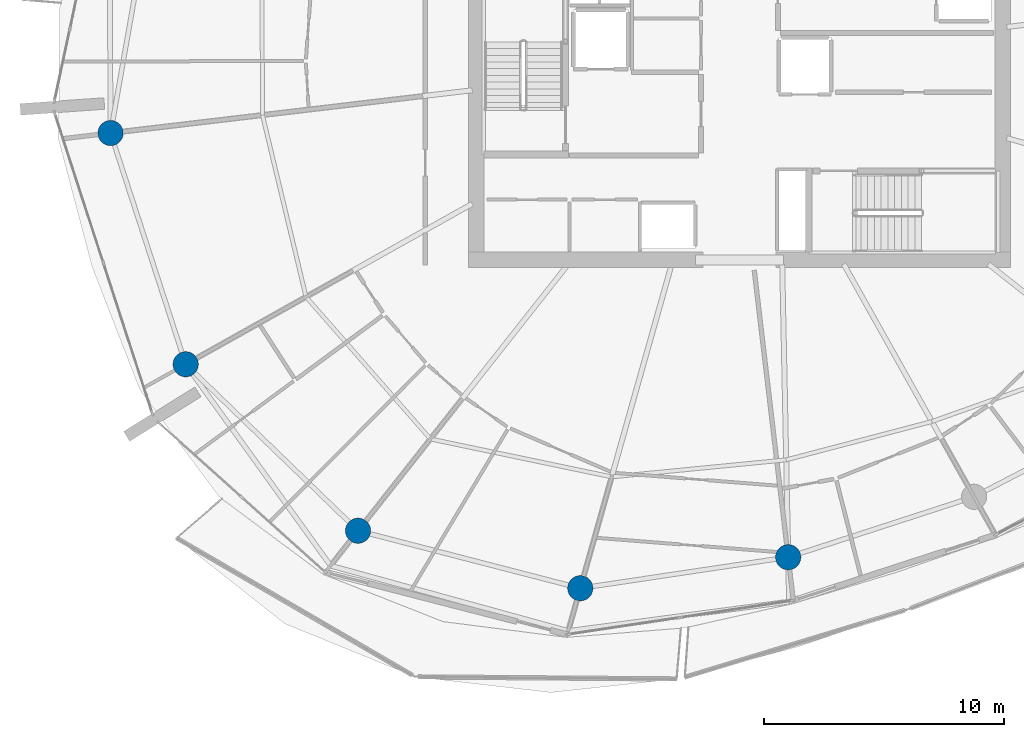
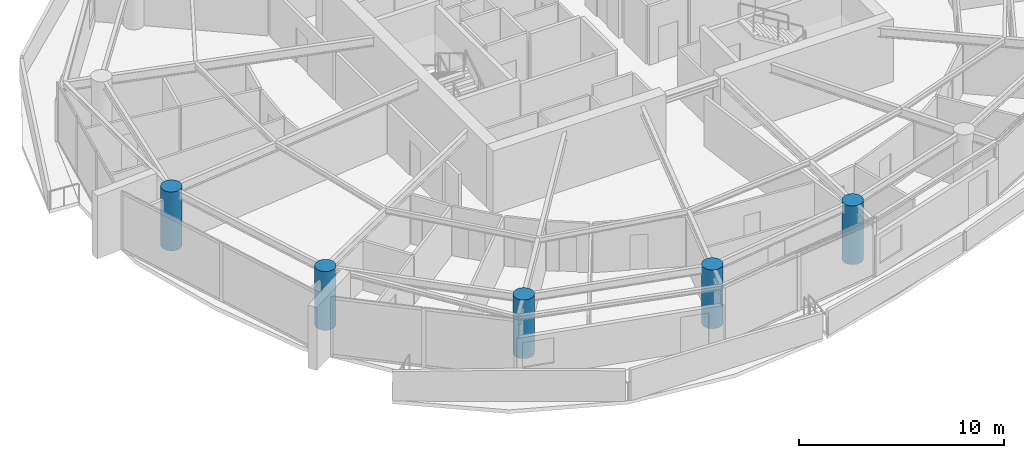
# One storey, part 1 of 20: 5 columns.
"""IFC4 building model written with IfcOpenShell, lengths in metres."""

import ifcopenshell
import ifcopenshell.guid

model = None  # the IFC model being written
_history = None  # IfcOwnerHistory: only IFC2X3 demands one
_inside = {}  # id of a spatial element -> (the spatial element, [elements in it])
_under = {}  # id of a project, library or spatial element -> (it, [spatial elements below it])
_declared = {}  # id of a project -> (the project, [libraries it declares])
_typed = {}  # id of a type object -> (the type object, [elements of that type])
_made_of = {}  # id of a material, layer set ... -> (it, [elements and type objects made of it])


def new_model(schema):
    """Start an empty IFC model of exactly this schema.

    Asked for "IFC4X3", IfcOpenShell would pick the latest addendum, in which some entities
    have other attributes; the version numbers below select the first issue.
    IFC2X3 requires an IfcOwnerHistory on every rooted entity: one is made here for all.
    """
    global model, _history
    if schema == "IFC4X3":
        model = ifcopenshell.file(schema_version=(4, 3, 0, 0))
    else:
        model = ifcopenshell.file(schema=schema)
    _inside.clear()
    _under.clear()
    _declared.clear()
    _typed.clear()
    _made_of.clear()
    _history = None
    if model.schema == "IFC2X3":
        org = make("IfcOrganization", Name="unknown")
        user = make(
            "IfcPersonAndOrganization",
            ThePerson=make("IfcPerson", FamilyName="unknown"),
            TheOrganization=org,
        )
        app = make(
            "IfcApplication",
            ApplicationDeveloper=org,
            Version="unknown",
            ApplicationFullName="unknown",
            ApplicationIdentifier="unknown",
        )
        _history = make(
            "IfcOwnerHistory",
            OwningUser=user,
            OwningApplication=app,
            ChangeAction="ADDED",
            CreationDate=0,
        )
    return model


def make(cls, **values):
    """One entity of the class cls with the attributes given. An attribute that is None is left unset."""
    return model.create_entity(
        cls, **{name: value for name, value in values.items() if value is not None}
    )


def rooted(cls, **values):
    """An entity with a GlobalId (a new one), such as an element, a storey or a relation."""
    return make(cls, GlobalId=ifcopenshell.guid.new(), OwnerHistory=_history, **values)


def si_unit(unit_type, name, prefix=None):
    """IfcSIUnit, for example si_unit("LENGTHUNIT", "METRE", prefix="MILLI")."""
    return make("IfcSIUnit", UnitType=unit_type, Prefix=prefix, Name=name)


def assignment(units):
    """IfcUnitAssignment: the units of a project."""
    return None if units is None else make("IfcUnitAssignment", Units=units)


def point(xyz):
    """IfcCartesianPoint."""
    return None if xyz is None else make("IfcCartesianPoint", Coordinates=xyz)


def direction(xyz):
    """IfcDirection."""
    return None if xyz is None else make("IfcDirection", DirectionRatios=xyz)


def frame(location, z_axis=None, x_axis=None):
    """IfcAxis2Placement3D, a coordinate frame: its origin and axes. An axis left out is left unset."""
    return make(
        "IfcAxis2Placement3D",
        Location=point(location),
        Axis=direction(z_axis),
        RefDirection=direction(x_axis),
    )


def frame_2d(location, x_axis=None):
    """IfcAxis2Placement2D, a coordinate frame in the plane: its origin and x axis."""
    return make(
        "IfcAxis2Placement2D", Location=point(location), RefDirection=direction(x_axis)
    )


def origin():
    """The frame at (0, 0, 0) with its axes left unset."""
    return frame((0.0, 0.0, 0.0))


def origin_2d():
    """The frame at (0, 0) in the plane with its x axis left unset."""
    return frame_2d((0.0, 0.0))


def place(relative_to, where):
    """IfcLocalPlacement: puts the frame where relative to a parent placement (None: the world)."""
    return make(
        "IfcLocalPlacement", PlacementRelTo=relative_to, RelativePlacement=where
    )


def context(
    kind, dimensions, precision=None, world=None, true_north=None, identifier=None
):
    """IfcGeometricRepresentationContext, for example the 3D "Model" context."""
    return make(
        "IfcGeometricRepresentationContext",
        ContextIdentifier=identifier,
        ContextType=kind,
        CoordinateSpaceDimension=dimensions,
        Precision=precision,
        WorldCoordinateSystem=world,
        TrueNorth=true_north,
    )


def subcontext(parent, identifier, kind, view, scale=None):
    """IfcGeometricRepresentationSubContext, for example "Body" below "Model"."""
    return make(
        "IfcGeometricRepresentationSubContext",
        ContextIdentifier=identifier,
        ContextType=kind,
        ParentContext=parent,
        TargetScale=scale,
        TargetView=view,
    )


def project(units=None, contexts=None):
    """IfcProject with its units and contexts."""
    return rooted(
        "IfcProject",
        Name="project",
        RepresentationContexts=contexts,
        UnitsInContext=assignment(units),
    )


def spatial(cls, under=None, at=None, **own):
    """A site, building, storey or space (cls), placed at a placement, below another one or the project."""
    s = rooted(cls, ObjectPlacement=at, **own)
    if under is not None:
        _under.setdefault(under.id(), (under, []))[1].append(s)
    return s


def profile(cls, at=None, kind="AREA", **sizes):
    """A parametric profile (cls). Its sizes go by their IFC names, for example OverallWidth=200.0."""
    return make(cls, ProfileType=kind, Position=at, **sizes)


def circle(**sizes):
    """IfcCircleProfileDef."""
    return profile("IfcCircleProfileDef", **sizes)


def extrude(swept, where, along, depth):
    """IfcExtrudedAreaSolid: the profile swept, set in the frame where, extruded along a direction by depth."""
    return make(
        "IfcExtrudedAreaSolid",
        SweptArea=swept,
        Position=where,
        ExtrudedDirection=direction(along),
        Depth=depth,
    )


def shape(context_of_items, identifier, shape_type, items):
    """IfcShapeRepresentation: the items that make up one representation, for example the "Body"."""
    return make(
        "IfcShapeRepresentation",
        ContextOfItems=context_of_items,
        RepresentationIdentifier=identifier,
        RepresentationType=shape_type,
        Items=items,
    )


def material(Name=None, Category=None):
    """IfcMaterial."""
    return make("IfcMaterial", Name=Name, Category=Category)


def material_profile(
    of_material, cross_section, Name=None, Category=None, Priority=None
):
    """IfcMaterialProfile: a cross section and its material."""
    return make(
        "IfcMaterialProfile",
        Name=Name,
        Material=of_material,
        Profile=cross_section,
        Priority=Priority,
        Category=Category,
    )


def profile_set(profiles, Name=None, composite=None):
    """IfcMaterialProfileSet."""
    return make(
        "IfcMaterialProfileSet",
        Name=Name,
        MaterialProfiles=profiles,
        CompositeProfile=composite,
    )


def made_of(thing, what):
    """Note that an element or type object is made of a material, layer set ...; save() writes the relation."""
    if what is not None:
        _made_of.setdefault(what.id(), (what, []))[1].append(thing)
    return thing


def type_object(cls, material=None, **own):
    """A type object (cls), such as IfcWallType, which elements share."""
    return made_of(rooted(cls, **own), material)


def element(
    cls,
    number,
    at=None,
    inside=None,
    cuts=None,
    type_object=None,
    material=None,
    context=None,
    identifier="Body",
    shape_type=None,
    held_by="IfcProductDefinitionShape",
    body=None,
    shapes=None,
    **own,
):
    """One element of the class cls, such as IfcWall. Its Tag is "e" and its number.

    at: its placement. inside: the storey or other place that contains it. cuts: it is an
    opening in that element (IfcRelVoidsElement). A single representation is given by context,
    identifier, shape_type and body (its items); several are given by shapes. held_by: the class
    of the entity that holds the representations. save() writes the other relations.
    """
    e = rooted(cls, Tag="e%d" % number, ObjectPlacement=at, **own)
    if body is not None:
        shapes = [shape(context, identifier, shape_type, body)]
    if shapes is not None:
        e.Representation = make(held_by, Representations=shapes)
    if inside is not None:
        _inside.setdefault(inside.id(), (inside, []))[1].append(e)
    if cuts is not None:
        rooted(
            "IfcRelVoidsElement", RelatingBuildingElement=cuts, RelatedOpeningElement=e
        )
    if type_object is not None:
        _typed.setdefault(type_object.id(), (type_object, []))[1].append(e)
    return made_of(e, material)


def aggregate(whole, parts):
    """IfcRelAggregates: a whole, such as a stair, and the parts it consists of."""
    return rooted("IfcRelAggregates", RelatingObject=whole, RelatedObjects=parts)


def save(model, path):
    """Write the relations noted so far, then the file.

    IfcRelAggregates (storeys below a building ...), IfcRelContainedInSpatialStructure (elements
    in a storey), IfcRelDefinesByType, IfcRelAssociatesMaterial and IfcRelDeclares: one each for
    every whole, place, type object, material and project.
    """
    for whole, parts in _under.values():
        aggregate(whole, parts)
    for where, things in _inside.values():
        rooted(
            "IfcRelContainedInSpatialStructure",
            RelatedElements=things,
            RelatingStructure=where,
        )
    for kind, things in _typed.values():
        rooted("IfcRelDefinesByType", RelatedObjects=things, RelatingType=kind)
    for what, things in _made_of.values():
        rooted("IfcRelAssociatesMaterial", RelatedObjects=things, RelatingMaterial=what)
    for by, libraries in _declared.values():
        rooted("IfcRelDeclares", RelatingContext=by, RelatedDefinitions=libraries)
    model.write(path)


model = new_model("IFC4")

# Units and contexts
model_context = context("Model", 3, precision=1e-05, world=origin(), true_north=direction((0.0, 1.0)))
body_context = subcontext(model_context, "Body", "Model", "MODEL_VIEW")
ifc_project = project(units=[si_unit("LENGTHUNIT", "METRE"), si_unit("AREAUNIT", "SQUARE_METRE"), si_unit("VOLUMEUNIT", "CUBIC_METRE"), si_unit("PLANEANGLEUNIT", "RADIAN"), si_unit("MASSUNIT", "GRAM", prefix="KILO")], contexts=[model_context])

# Site, building, storey
site_placement = place(None, origin())
site = spatial("IfcSite", under=ifc_project, at=site_placement, CompositionType="ELEMENT")
building_placement = place(site_placement, origin())
building = spatial("IfcBuilding", under=site, at=building_placement, Name="Kazma Halo Residences", CompositionType="ELEMENT")
storey_placement = place(building_placement, frame((0.0, 0.0, 210.300048828125)))
storey = spatial("IfcBuildingStorey", under=building, at=storey_placement, Name="L53", CompositionType="ELEMENT", Elevation=210.300048828125)

# Columns
ifc_material = material(Name="Concrete C80/95", Category="concrete")
ifc_material_profile = material_profile(ifc_material, circle(Radius=0.52490234375, at=origin_2d()), Name="CIRC1050")
ifc_profile_set = profile_set([ifc_material_profile], Name="Concrete C80/95")
column_type = type_object("IfcColumnType", Name="COL-PERIM-1050", PredefinedType="COLUMN", material=ifc_profile_set)
for number, where, z_axis, x_axis, name in (
    (1, (22.248291015625, 38.9521484375, 0.0), (0.0, 0.0, 1.0), (1.0, 0.0, 0.0), "L53 perimeter ring column P08"),
    (2, (25.375, 29.329345703125, 0.0), (0.0, 0.0, 1.0), (1.0, 0.0, 0.0), "L53 perimeter ring column P09"),
    (3, (32.54931640625, 22.401123046875, 0.0), (0.0, 0.0, 1.0), (1.0, 0.0, 0.0), "L53 perimeter ring column P10"),
    (4, (41.797607421875, 20.00830078125, 0.0), (0.0, 0.0, 1.0), (1.0, 0.0, 0.0), "L53 perimeter ring column P11"),
    (5, (50.449951171875, 21.30029296875, 0.0), (0.0, 0.0, 1.0), (1.0, 0.0, 0.0), "L53 perimeter ring column P12"),
):
    element("IfcColumn", number, at=place(storey_placement, frame(where, z_axis=z_axis, x_axis=x_axis)), inside=storey, type_object=column_type, Name=name, PredefinedType="COLUMN", context=body_context, shape_type="SweptSolid", body=[
        extrude(circle(Radius=0.52490234375, at=origin_2d()), origin(), (0.0, 0.0, 1.0), 3.5),
    ])

save(model, "model.ifc")
